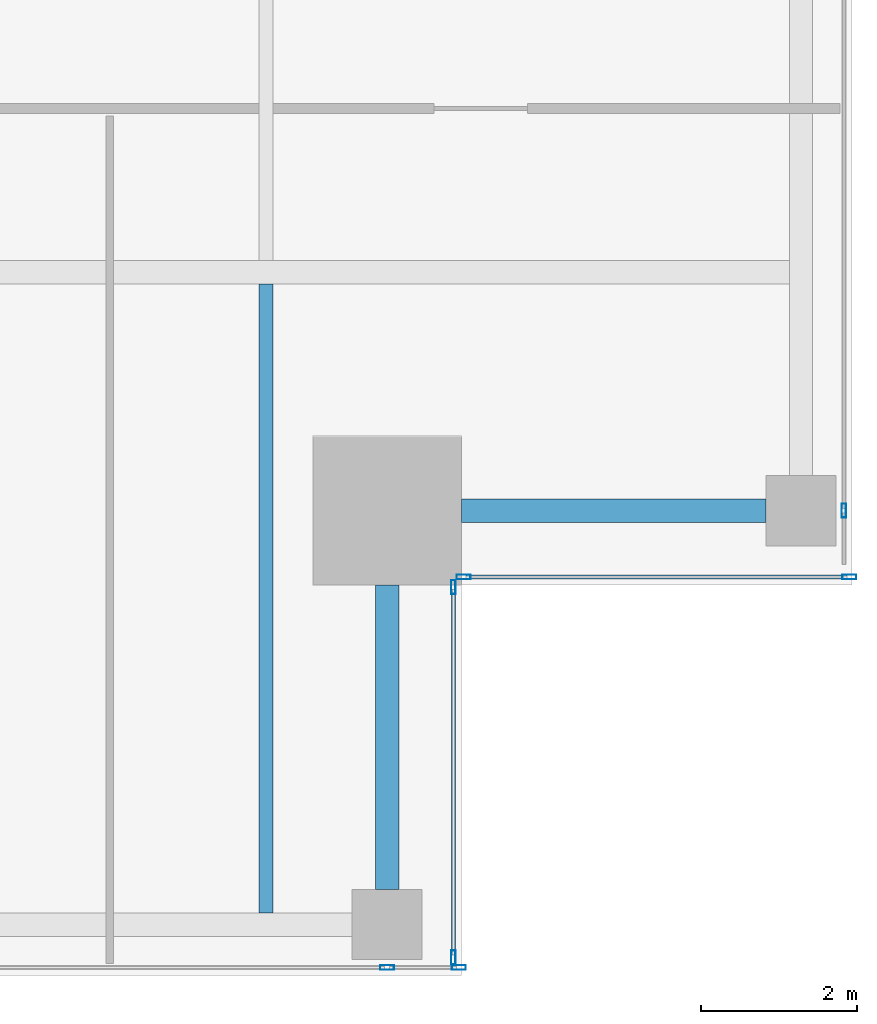
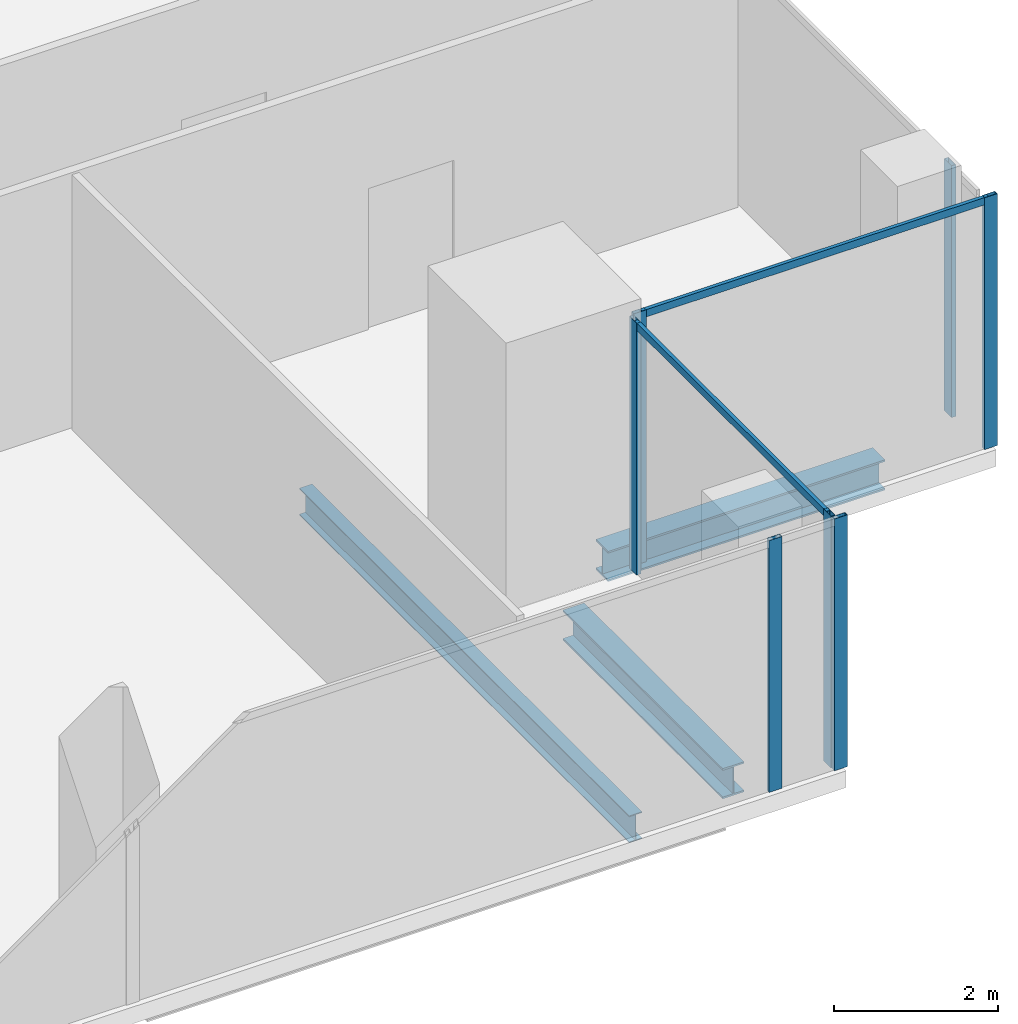
# One storey, part 10 of 35: 9 members, 3 beams, 4 elements without a shape of their own.
"""IFC4 building model written with IfcOpenShell, lengths in metres."""

from ifc_helpers import new_model, si_unit, direction, frame, origin, origin_2d, place, context, subcontext, project, spatial, hollow_rectangle, i_section, extrude, source, transform, mapped, material, material_profile, profile_set, type_object, element, aggregate, save


model = new_model("IFC4")

# Units and contexts
model_context = context("Model", 3, precision=1e-05, world=origin(), true_north=direction((0.0, 1.0)))
body_context = subcontext(model_context, "Body", "Model", "MODEL_VIEW")
ifc_project = project(units=[si_unit("LENGTHUNIT", "METRE"), si_unit("AREAUNIT", "SQUARE_METRE"), si_unit("VOLUMEUNIT", "CUBIC_METRE"), si_unit("PLANEANGLEUNIT", "RADIAN"), si_unit("MASSUNIT", "GRAM", prefix="KILO")], contexts=[model_context])

# Site, building, storey
site_placement = place(None, origin())
site = spatial("IfcSite", under=ifc_project, at=site_placement, CompositionType="ELEMENT")
building_placement = place(site_placement, origin())
building = spatial("IfcBuilding", under=site, at=building_placement, Name="Khomas Fold Tower", CompositionType="ELEMENT")
storey_placement = place(building_placement, frame((0.0, 0.0, 270.199951171875)))
storey = spatial("IfcBuildingStorey", under=building, at=storey_placement, Name="L61", CompositionType="ELEMENT", Elevation=270.199951171875)

# Beams
ifc_material_1 = material(Name="Steel S355", Category="steel")
ifc_material_profile_1 = material_profile(ifc_material_1, i_section(OverallWidth=0.300048828125, OverallDepth=0.449951171875, WebThickness=0.013916015625, FlangeThickness=0.02587890625, at=origin_2d()), Name="HE 450 B")
ifc_profile_set_1 = profile_set([ifc_material_profile_1], Name="Steel S355")
beam_type_1 = type_object("IfcBeamType", Name="HE 450 B spandrel SB4", PredefinedType="SPANDREL", material=ifc_profile_set_1)
shared_shape_1 = source(origin(), body_context, "Body", "SweptSolid", [
    extrude(i_section(OverallWidth=0.300048828125, OverallDepth=0.449951171875, WebThickness=0.013916015625, FlangeThickness=0.02587890625, at=origin_2d()), origin(), (0.0, 0.0, 1.0), 3.89990234375),
])
for number, where, z_axis, x_axis, name in (
    (1, (43.550048828125, 5.60009765625, -0.474853515625), (0.0, 1.0, 0.0), (-1.0, 0.0, 0.0), "SB4"),
    (2, (44.5, 10.449951171875, -0.474853515625), (1.0, 0.0, 0.0), (0.0, 1.0, 0.0), "SB4"),
):
    element("IfcBeam", number, at=place(storey_placement, frame(where, z_axis=z_axis, x_axis=x_axis)), inside=storey, type_object=beam_type_1, Name=name, PredefinedType="SPANDREL", context=body_context, shape_type="MappedRepresentation", body=[
        mapped(shared_shape_1, transform((0.0, 0.0, 0.0))),
    ])
ifc_material_2 = material(Name="Steel S355", Category="steel")
ifc_material_profile_2 = material_profile(ifc_material_2, i_section(OverallWidth=0.179931640625, OverallDepth=0.39990234375, WebThickness=0.008544921875, FlangeThickness=0.013427734375, at=origin_2d()), Name="IPE 400")
ifc_profile_set_2 = profile_set([ifc_material_profile_2], Name="Steel S355")
beam_type_2 = type_object("IfcBeamType", Name="IPE 400 beam JB3", PredefinedType="BEAM", material=ifc_profile_set_2)
shared_shape_2 = source(origin(), body_context, "Body", "SweptSolid", [
    extrude(i_section(OverallWidth=0.179931640625, OverallDepth=0.39990234375, WebThickness=0.008544921875, FlangeThickness=0.013427734375, at=origin_2d()), origin(), (0.0, 0.0, 1.0), 8.050048828125),
])
beam_placement = place(storey_placement, frame((42.0, 5.300048828125, -0.449951171875), z_axis=(0.0, 1.0, 0.0), x_axis=(-1.0, 0.0, 0.0)))
element("IfcBeam", 3, at=beam_placement, inside=storey, type_object=beam_type_2, Name="JB3", PredefinedType="BEAM", context=body_context, shape_type="MappedRepresentation", body=[
    mapped(shared_shape_2, transform((0.0, 0.0, 0.0))),
])

# Curtain wall, members
ifc_material_3 = material(Name="Aluminium framed double glazing", Category="aluminium")
curtain_wall_type = type_object("IfcCurtainWallType", Name="SK-Unitised clear-glass wall, office floors CW2", PredefinedType="NOTDEFINED", material=ifc_material_3)
curtain_wall_1_placement = place(storey_placement, origin())
curtain_wall_1 = element("IfcCurtainWall", 4, at=curtain_wall_1_placement, inside=storey, type_object=curtain_wall_type, Name="CW2 run L61 00-0", PredefinedType="NOTDEFINED")
ifc_material_4 = material(Name="Aluminium", Category="aluminium")
ifc_material_profile_3 = material_profile(ifc_material_4, hollow_rectangle(XDim=0.06005859375, YDim=0.179931640625, WallThickness=0.00390625, at=origin_2d()), Name="SK-Unitised clear-glass wall, office floors mullion CW2-M")
ifc_profile_set_3 = profile_set([ifc_material_profile_3], Name="Aluminium")
member_type_1 = type_object("IfcMemberType", Name="SK-Unitised clear-glass wall, office floors mullion CW2-M", PredefinedType="MULLION", material=ifc_profile_set_3)
shared_shape_3 = source(origin(), body_context, "Body", "SweptSolid", [
    extrude(hollow_rectangle(XDim=0.06005859375, YDim=0.179931640625, WallThickness=0.00390625, at=origin_2d()), origin(), (0.0, 0.0, 1.0), 3.75),
])
member_1_placement = place(storey_placement, frame((43.550048828125, 4.60009765625, 0.0), z_axis=(0.0, 0.0, 1.0), x_axis=(0.0, 1.0, 0.0)))
member_1 = element("IfcMember", 5, at=member_1_placement, type_object=member_type_1, Name="CW2 mullion 6", PredefinedType="MULLION", context=body_context, shape_type="MappedRepresentation", body=[
    mapped(shared_shape_3, transform((0.0, 0.0, 0.0))),
])
member_2_placement = place(storey_placement, frame((44.469970703125, 4.60009765625, 0.0), z_axis=(0.0, 0.0, 1.0), x_axis=(0.0, 1.0, 0.0)))
member_2 = element("IfcMember", 6, at=member_2_placement, type_object=member_type_1, Name="CW2 mullion 7", PredefinedType="MULLION", context=body_context, shape_type="MappedRepresentation", body=[
    mapped(shared_shape_3, transform((0.0, 0.0, 0.0))),
])
aggregate(curtain_wall_1, [member_1, member_2])

curtain_wall_2_placement = place(storey_placement, origin())
curtain_wall_2 = element("IfcCurtainWall", 7, at=curtain_wall_2_placement, inside=storey, type_object=curtain_wall_type, Name="CW2 corner return L61 01", PredefinedType="NOTDEFINED")
member_3_placement = place(storey_placement, frame((44.39990234375, 4.72998046875, 0.0), z_axis=(0.0, 0.0, 1.0), x_axis=(-1.0, 0.0, 0.0)))
member_3 = element("IfcMember", 8, at=member_3_placement, type_object=member_type_1, Name="CW2 mullion 1", PredefinedType="MULLION", context=body_context, shape_type="MappedRepresentation", body=[
    mapped(shared_shape_3, transform((0.0, 0.0, 0.0))),
])
member_4_placement = place(storey_placement, frame((44.39990234375, 9.469970703125, 0.0), z_axis=(0.0, 0.0, 1.0), x_axis=(-1.0, 0.0, 0.0)))
member_4 = element("IfcMember", 9, at=member_4_placement, type_object=member_type_1, Name="CW2 mullion 2", PredefinedType="MULLION", context=body_context, shape_type="MappedRepresentation", body=[
    mapped(shared_shape_3, transform((0.0, 0.0, 0.0))),
])

curtain_wall_3_placement = place(storey_placement, origin())
curtain_wall_3 = element("IfcCurtainWall", 10, at=curtain_wall_3_placement, inside=storey, type_object=curtain_wall_type, Name="CW2 corner return L61 02", PredefinedType="NOTDEFINED")
member_5_placement = place(storey_placement, frame((44.530029296875, 9.60009765625, 0.0), z_axis=(0.0, 0.0, 1.0), x_axis=(0.0, 1.0, 0.0)))
member_5 = element("IfcMember", 11, at=member_5_placement, type_object=member_type_1, Name="CW2 mullion 1", PredefinedType="MULLION", context=body_context, shape_type="MappedRepresentation", body=[
    mapped(shared_shape_3, transform((0.0, 0.0, 0.0))),
])
member_6_placement = place(storey_placement, frame((49.469970703125, 9.60009765625, 0.0), z_axis=(0.0, 0.0, 1.0), x_axis=(0.0, 1.0, 0.0)))
member_6 = element("IfcMember", 12, at=member_6_placement, type_object=member_type_1, Name="CW2 mullion 2", PredefinedType="MULLION", context=body_context, shape_type="MappedRepresentation", body=[
    mapped(shared_shape_3, transform((0.0, 0.0, 0.0))),
])

# Curtain wall, member
curtain_wall_4_placement = place(storey_placement, origin())
curtain_wall_4 = element("IfcCurtainWall", 13, at=curtain_wall_4_placement, inside=storey, type_object=curtain_wall_type, Name="CW2 run L61 03-0", PredefinedType="NOTDEFINED")
member_7_placement = place(storey_placement, frame((49.39990234375, 10.449951171875, 0.0), z_axis=(0.0, 0.0, 1.0), x_axis=(-1.0, 0.0, 0.0)))
member_7 = element("IfcMember", 14, at=member_7_placement, type_object=member_type_1, Name="CW2 mullion 2", PredefinedType="MULLION", context=body_context, shape_type="MappedRepresentation", body=[
    mapped(shared_shape_3, transform((0.0, 0.0, 0.0))),
])
aggregate(curtain_wall_4, [member_7])

# Member
ifc_material_5 = material(Name="Aluminium", Category="aluminium")
ifc_material_profile_4 = material_profile(ifc_material_5, hollow_rectangle(XDim=0.050048828125, YDim=0.110107421875, WallThickness=0.00390625, at=origin_2d()), Name="SK-Unitised clear-glass wall, office floors transom CW2-T")
ifc_profile_set_4 = profile_set([ifc_material_profile_4], Name="Aluminium")
member_type_2 = type_object("IfcMemberType", Name="SK-Unitised clear-glass wall, office floors transom CW2-T", PredefinedType="USERDEFINED", material=ifc_profile_set_4)
shared_shape_4 = source(origin(), body_context, "Body", "SweptSolid", [
    extrude(hollow_rectangle(XDim=0.050048828125, YDim=0.110107421875, WallThickness=0.00390625, at=origin_2d()), origin(), (0.0, 0.0, 1.0), 4.679931640625),
])
member_8_placement = place(storey_placement, frame((44.39990234375, 4.760009765625, 3.695068359375), z_axis=(0.0, 1.0, 0.0), x_axis=(-1.0, 0.0, 0.0)))
member_8 = element("IfcMember", 15, at=member_8_placement, type_object=member_type_2, Name="CW2 transom 1", ObjectType="TRANSOM", PredefinedType="USERDEFINED", context=body_context, shape_type="MappedRepresentation", body=[
    mapped(shared_shape_4, transform((0.0, 0.0, 0.0))),
])

aggregate(curtain_wall_2, [member_3, member_4, member_8])

shared_shape_5 = source(origin(), body_context, "Body", "SweptSolid", [
    extrude(hollow_rectangle(XDim=0.050048828125, YDim=0.110107421875, WallThickness=0.00390625, at=origin_2d()), origin(), (0.0, 0.0, 1.0), 4.8798828125),
])
member_9_placement = place(storey_placement, frame((44.56005859375, 9.60009765625, 3.695068359375), z_axis=(1.0, 0.0, 0.0), x_axis=(0.0, 1.0, 0.0)))
member_9 = element("IfcMember", 16, at=member_9_placement, type_object=member_type_2, Name="CW2 transom 1", ObjectType="TRANSOM", PredefinedType="USERDEFINED", context=body_context, shape_type="MappedRepresentation", body=[
    mapped(shared_shape_5, transform((0.0, 0.0, 0.0))),
])

aggregate(curtain_wall_3, [member_5, member_6, member_9])

save(model, "model.ifc")
